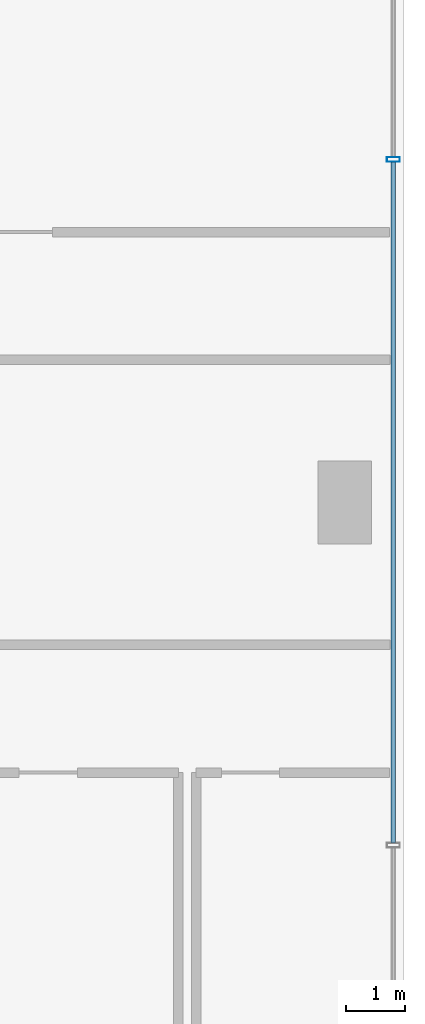
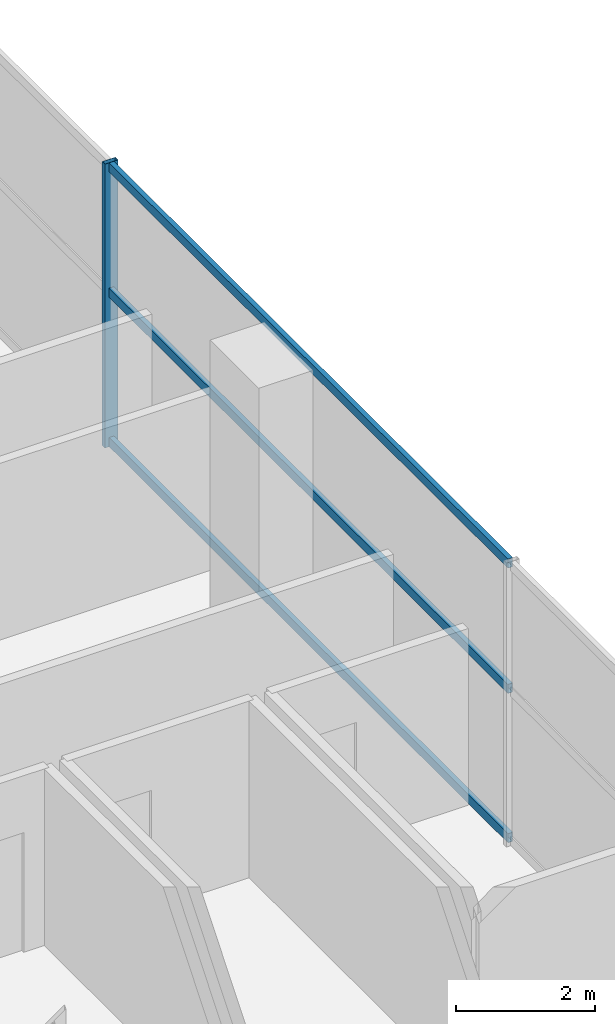
# One storey, part 24 of 35: 4 members, 1 element without a shape of its own.
"""IFC4 building model written with IfcOpenShell, lengths in metres."""

import ifcopenshell
import ifcopenshell.guid

model = None  # the IFC model being written
_history = None  # IfcOwnerHistory: only IFC2X3 demands one
_inside = {}  # id of a spatial element -> (the spatial element, [elements in it])
_under = {}  # id of a project, library or spatial element -> (it, [spatial elements below it])
_declared = {}  # id of a project -> (the project, [libraries it declares])
_typed = {}  # id of a type object -> (the type object, [elements of that type])
_made_of = {}  # id of a material, layer set ... -> (it, [elements and type objects made of it])


def new_model(schema):
    """Start an empty IFC model of exactly this schema.

    Asked for "IFC4X3", IfcOpenShell would pick the latest addendum, in which some entities
    have other attributes; the version numbers below select the first issue.
    IFC2X3 requires an IfcOwnerHistory on every rooted entity: one is made here for all.
    """
    global model, _history
    if schema == "IFC4X3":
        model = ifcopenshell.file(schema_version=(4, 3, 0, 0))
    else:
        model = ifcopenshell.file(schema=schema)
    _inside.clear()
    _under.clear()
    _declared.clear()
    _typed.clear()
    _made_of.clear()
    _history = None
    if model.schema == "IFC2X3":
        org = make("IfcOrganization", Name="unknown")
        user = make(
            "IfcPersonAndOrganization",
            ThePerson=make("IfcPerson", FamilyName="unknown"),
            TheOrganization=org,
        )
        app = make(
            "IfcApplication",
            ApplicationDeveloper=org,
            Version="unknown",
            ApplicationFullName="unknown",
            ApplicationIdentifier="unknown",
        )
        _history = make(
            "IfcOwnerHistory",
            OwningUser=user,
            OwningApplication=app,
            ChangeAction="ADDED",
            CreationDate=0,
        )
    return model


def make(cls, **values):
    """One entity of the class cls with the attributes given. An attribute that is None is left unset."""
    return model.create_entity(
        cls, **{name: value for name, value in values.items() if value is not None}
    )


def rooted(cls, **values):
    """An entity with a GlobalId (a new one), such as an element, a storey or a relation."""
    return make(cls, GlobalId=ifcopenshell.guid.new(), OwnerHistory=_history, **values)


def si_unit(unit_type, name, prefix=None):
    """IfcSIUnit, for example si_unit("LENGTHUNIT", "METRE", prefix="MILLI")."""
    return make("IfcSIUnit", UnitType=unit_type, Prefix=prefix, Name=name)


def assignment(units):
    """IfcUnitAssignment: the units of a project."""
    return None if units is None else make("IfcUnitAssignment", Units=units)


def point(xyz):
    """IfcCartesianPoint."""
    return None if xyz is None else make("IfcCartesianPoint", Coordinates=xyz)


def direction(xyz):
    """IfcDirection."""
    return None if xyz is None else make("IfcDirection", DirectionRatios=xyz)


def frame(location, z_axis=None, x_axis=None):
    """IfcAxis2Placement3D, a coordinate frame: its origin and axes. An axis left out is left unset."""
    return make(
        "IfcAxis2Placement3D",
        Location=point(location),
        Axis=direction(z_axis),
        RefDirection=direction(x_axis),
    )


def frame_2d(location, x_axis=None):
    """IfcAxis2Placement2D, a coordinate frame in the plane: its origin and x axis."""
    return make(
        "IfcAxis2Placement2D", Location=point(location), RefDirection=direction(x_axis)
    )


def origin():
    """The frame at (0, 0, 0) with its axes left unset."""
    return frame((0.0, 0.0, 0.0))


def origin_2d():
    """The frame at (0, 0) in the plane with its x axis left unset."""
    return frame_2d((0.0, 0.0))


def place(relative_to, where):
    """IfcLocalPlacement: puts the frame where relative to a parent placement (None: the world)."""
    return make(
        "IfcLocalPlacement", PlacementRelTo=relative_to, RelativePlacement=where
    )


def context(
    kind, dimensions, precision=None, world=None, true_north=None, identifier=None
):
    """IfcGeometricRepresentationContext, for example the 3D "Model" context."""
    return make(
        "IfcGeometricRepresentationContext",
        ContextIdentifier=identifier,
        ContextType=kind,
        CoordinateSpaceDimension=dimensions,
        Precision=precision,
        WorldCoordinateSystem=world,
        TrueNorth=true_north,
    )


def subcontext(parent, identifier, kind, view, scale=None):
    """IfcGeometricRepresentationSubContext, for example "Body" below "Model"."""
    return make(
        "IfcGeometricRepresentationSubContext",
        ContextIdentifier=identifier,
        ContextType=kind,
        ParentContext=parent,
        TargetScale=scale,
        TargetView=view,
    )


def project(units=None, contexts=None):
    """IfcProject with its units and contexts."""
    return rooted(
        "IfcProject",
        Name="project",
        RepresentationContexts=contexts,
        UnitsInContext=assignment(units),
    )


def spatial(cls, under=None, at=None, **own):
    """A site, building, storey or space (cls), placed at a placement, below another one or the project."""
    s = rooted(cls, ObjectPlacement=at, **own)
    if under is not None:
        _under.setdefault(under.id(), (under, []))[1].append(s)
    return s


def profile(cls, at=None, kind="AREA", **sizes):
    """A parametric profile (cls). Its sizes go by their IFC names, for example OverallWidth=200.0."""
    return make(cls, ProfileType=kind, Position=at, **sizes)


def hollow_rectangle(**sizes):
    """IfcRectangleHollowProfileDef."""
    return profile("IfcRectangleHollowProfileDef", **sizes)


def extrude(swept, where, along, depth):
    """IfcExtrudedAreaSolid: the profile swept, set in the frame where, extruded along a direction by depth."""
    return make(
        "IfcExtrudedAreaSolid",
        SweptArea=swept,
        Position=where,
        ExtrudedDirection=direction(along),
        Depth=depth,
    )


def shape(context_of_items, identifier, shape_type, items):
    """IfcShapeRepresentation: the items that make up one representation, for example the "Body"."""
    return make(
        "IfcShapeRepresentation",
        ContextOfItems=context_of_items,
        RepresentationIdentifier=identifier,
        RepresentationType=shape_type,
        Items=items,
    )


def source(mapping_origin, context_of_items, identifier, shape_type, items):
    """IfcRepresentationMap: a shape defined once, which mapped items show again and again."""
    return make(
        "IfcRepresentationMap",
        MappingOrigin=mapping_origin,
        MappedRepresentation=shape(context_of_items, identifier, shape_type, items),
    )


def transform(
    local_origin,
    x_axis=None,
    y_axis=None,
    z_axis=None,
    scale=None,
    scale2=None,
    scale3=None,
    uniform=True,
):
    """IfcCartesianTransformationOperator3D, or its non-uniform kind. x_axis, y_axis, z_axis: its Axis1, 2, 3."""
    if uniform:
        return make(
            "IfcCartesianTransformationOperator3D",
            Axis1=direction(x_axis),
            Axis2=direction(y_axis),
            LocalOrigin=point(local_origin),
            Scale=scale,
            Axis3=direction(z_axis),
        )
    return make(
        "IfcCartesianTransformationOperator3DnonUniform",
        Axis1=direction(x_axis),
        Axis2=direction(y_axis),
        LocalOrigin=point(local_origin),
        Scale=scale,
        Axis3=direction(z_axis),
        Scale2=scale2,
        Scale3=scale3,
    )


def mapped(mapping_source, mapping_target):
    """IfcMappedItem: shows the shape of a source again, moved by a transform."""
    return make(
        "IfcMappedItem", MappingSource=mapping_source, MappingTarget=mapping_target
    )


def material(Name=None, Category=None):
    """IfcMaterial."""
    return make("IfcMaterial", Name=Name, Category=Category)


def material_profile(
    of_material, cross_section, Name=None, Category=None, Priority=None
):
    """IfcMaterialProfile: a cross section and its material."""
    return make(
        "IfcMaterialProfile",
        Name=Name,
        Material=of_material,
        Profile=cross_section,
        Priority=Priority,
        Category=Category,
    )


def profile_set(profiles, Name=None, composite=None):
    """IfcMaterialProfileSet."""
    return make(
        "IfcMaterialProfileSet",
        Name=Name,
        MaterialProfiles=profiles,
        CompositeProfile=composite,
    )


def made_of(thing, what):
    """Note that an element or type object is made of a material, layer set ...; save() writes the relation."""
    if what is not None:
        _made_of.setdefault(what.id(), (what, []))[1].append(thing)
    return thing


def type_object(cls, material=None, **own):
    """A type object (cls), such as IfcWallType, which elements share."""
    return made_of(rooted(cls, **own), material)


def element(
    cls,
    number,
    at=None,
    inside=None,
    cuts=None,
    type_object=None,
    material=None,
    context=None,
    identifier="Body",
    shape_type=None,
    held_by="IfcProductDefinitionShape",
    body=None,
    shapes=None,
    **own,
):
    """One element of the class cls, such as IfcWall. Its Tag is "e" and its number.

    at: its placement. inside: the storey or other place that contains it. cuts: it is an
    opening in that element (IfcRelVoidsElement). A single representation is given by context,
    identifier, shape_type and body (its items); several are given by shapes. held_by: the class
    of the entity that holds the representations. save() writes the other relations.
    """
    e = rooted(cls, Tag="e%d" % number, ObjectPlacement=at, **own)
    if body is not None:
        shapes = [shape(context, identifier, shape_type, body)]
    if shapes is not None:
        e.Representation = make(held_by, Representations=shapes)
    if inside is not None:
        _inside.setdefault(inside.id(), (inside, []))[1].append(e)
    if cuts is not None:
        rooted(
            "IfcRelVoidsElement", RelatingBuildingElement=cuts, RelatedOpeningElement=e
        )
    if type_object is not None:
        _typed.setdefault(type_object.id(), (type_object, []))[1].append(e)
    return made_of(e, material)


def aggregate(whole, parts):
    """IfcRelAggregates: a whole, such as a stair, and the parts it consists of."""
    return rooted("IfcRelAggregates", RelatingObject=whole, RelatedObjects=parts)


def save(model, path):
    """Write the relations noted so far, then the file.

    IfcRelAggregates (storeys below a building ...), IfcRelContainedInSpatialStructure (elements
    in a storey), IfcRelDefinesByType, IfcRelAssociatesMaterial and IfcRelDeclares: one each for
    every whole, place, type object, material and project.
    """
    for whole, parts in _under.values():
        aggregate(whole, parts)
    for where, things in _inside.values():
        rooted(
            "IfcRelContainedInSpatialStructure",
            RelatedElements=things,
            RelatingStructure=where,
        )
    for kind, things in _typed.values():
        rooted("IfcRelDefinesByType", RelatedObjects=things, RelatingType=kind)
    for what, things in _made_of.values():
        rooted("IfcRelAssociatesMaterial", RelatedObjects=things, RelatingMaterial=what)
    for by, libraries in _declared.values():
        rooted("IfcRelDeclares", RelatingContext=by, RelatedDefinitions=libraries)
    model.write(path)


model = new_model("IFC4")

# Units and contexts
model_context = context("Model", 3, precision=1e-05, world=origin(), true_north=direction((0.0, 1.0)))
body_context = subcontext(model_context, "Body", "Model", "MODEL_VIEW")
ifc_project = project(units=[si_unit("LENGTHUNIT", "METRE"), si_unit("AREAUNIT", "SQUARE_METRE"), si_unit("VOLUMEUNIT", "CUBIC_METRE"), si_unit("PLANEANGLEUNIT", "RADIAN"), si_unit("MASSUNIT", "GRAM", prefix="KILO")], contexts=[model_context])

# Site, building, storey
site_placement = place(None, origin())
site = spatial("IfcSite", under=ifc_project, at=site_placement, CompositionType="ELEMENT")
building_placement = place(site_placement, origin())
building = spatial("IfcBuilding", under=site, at=building_placement, Name="Nahalor Promenade Grand Hotel", CompositionType="ELEMENT")
storey_placement = place(building_placement, frame((0.0, 0.0, 21.60009765625)))
storey = spatial("IfcBuildingStorey", under=building, at=storey_placement, Name="L04", CompositionType="ELEMENT", Elevation=21.60009765625)

# Curtain wall, members
ifc_material = material(Name="Anodised Bronze Aluminium EN AW-6063 T6", Category="aluminium")
curtain_wall_type = type_object("IfcCurtainWallType", Name="CW1 Waterfront Podium Bronze Arcade Curtain Wall", PredefinedType="USERDEFINED", material=ifc_material)
curtain_wall_placement = place(storey_placement, origin())
curtain_wall = element("IfcCurtainWall", 1, at=curtain_wall_placement, inside=storey, type_object=curtain_wall_type, Name="L04 Curtain Wall CW-L04-E", ObjectType="UNITISED_CURTAIN_WALL", PredefinedType="USERDEFINED")
ifc_material_profile_1 = material_profile(ifc_material, hollow_rectangle(XDim=0.08, YDim=0.22, WallThickness=0.005, at=origin_2d()), Name="CWM 80x220x5")
ifc_profile_set_1 = profile_set([ifc_material_profile_1], Name="Anodised Bronze Aluminium EN AW-6063 T6")
member_type_1 = type_object("IfcMemberType", Name="CWM1 Podium Bronze Mullion 80x220", PredefinedType="MULLION", material=ifc_profile_set_1)
shared_shape_1 = source(origin(), body_context, "Body", "SweptSolid", [
    extrude(hollow_rectangle(XDim=0.08, YDim=0.22, WallThickness=0.005, at=origin_2d()), origin(), (0.0, 0.0, 1.0), 4.97998046875),
])
member_1_placement = place(storey_placement, frame((33.820068359375, 5.7734375, 0.0), z_axis=(0.0, 0.0, 1.0), x_axis=(0.0, 1.0, 0.0)))
member_1 = element("IfcMember", 2, at=member_1_placement, type_object=member_type_1, Name="CW-L04-E Mullion 2", PredefinedType="MULLION", context=body_context, shape_type="MappedRepresentation", body=[
    mapped(shared_shape_1, transform((0.0, 0.0, 0.0), scale=1.0)),
])
ifc_material_profile_2 = material_profile(ifc_material, hollow_rectangle(XDim=0.08, YDim=0.16, WallThickness=0.004, at=origin_2d()), Name="CWT 80x160x4")
ifc_profile_set_2 = profile_set([ifc_material_profile_2], Name="Anodised Bronze Aluminium EN AW-6063 T6")
member_type_2 = type_object("IfcMemberType", Name="CWT1 Podium Bronze Transom 80x160", PredefinedType="USERDEFINED", material=ifc_profile_set_2)
shared_shape_2 = source(origin(), body_context, "Body", "SweptSolid", [
    extrude(hollow_rectangle(XDim=0.08, YDim=0.16, WallThickness=0.004, at=origin_2d()), origin(), (0.0, 0.0, 1.0), 11.466796875),
])
member_2_placement = place(storey_placement, frame((33.820068359375, -5.7333984375, 0.079833984375), z_axis=(0.0, 1.0, 0.0), x_axis=(-1.0, 0.0, 0.0)))
member_2 = element("IfcMember", 3, at=member_2_placement, type_object=member_type_2, Name="CW-L04-E Transom 1-0", ObjectType="TRANSOM", PredefinedType="USERDEFINED", context=body_context, shape_type="MappedRepresentation", body=[
    mapped(shared_shape_2, transform((0.0, 0.0, 0.0), scale=1.0)),
])
member_3_placement = place(storey_placement, frame((33.820068359375, -5.7333984375, 2.699951171875), z_axis=(0.0, 1.0, 0.0), x_axis=(-1.0, 0.0, 0.0)))
member_3 = element("IfcMember", 4, at=member_3_placement, type_object=member_type_2, Name="CW-L04-E Transom 1-1", ObjectType="TRANSOM", PredefinedType="USERDEFINED", context=body_context, shape_type="MappedRepresentation", body=[
    mapped(shared_shape_2, transform((0.0, 0.0, 0.0), scale=1.0)),
])
member_4_placement = place(storey_placement, frame((33.820068359375, -5.7333984375, 4.89990234375), z_axis=(0.0, 1.0, 0.0), x_axis=(-1.0, 0.0, 0.0)))
member_4 = element("IfcMember", 5, at=member_4_placement, type_object=member_type_2, Name="CW-L04-E Transom 1-2", ObjectType="TRANSOM", PredefinedType="USERDEFINED", context=body_context, shape_type="MappedRepresentation", body=[
    mapped(shared_shape_2, transform((0.0, 0.0, 0.0), scale=1.0)),
])
aggregate(curtain_wall, [member_1, member_2, member_3, member_4])

save(model, "model.ifc")
